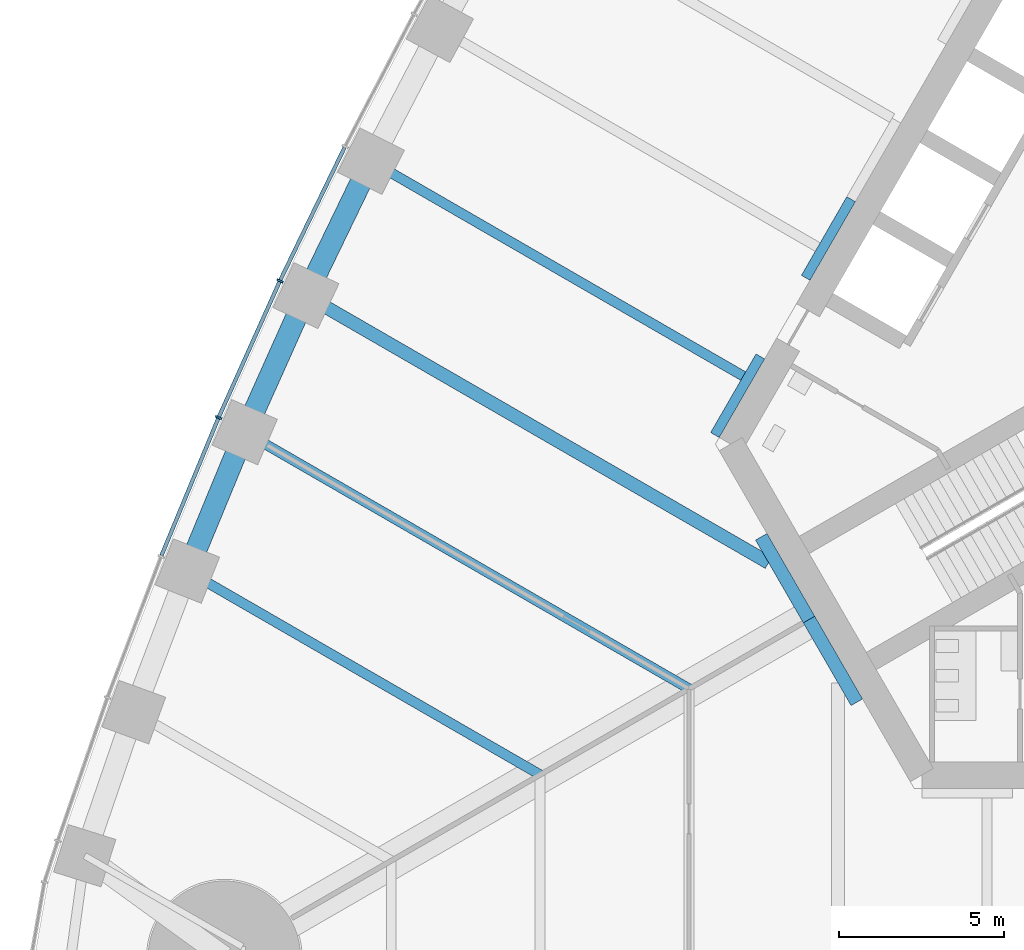
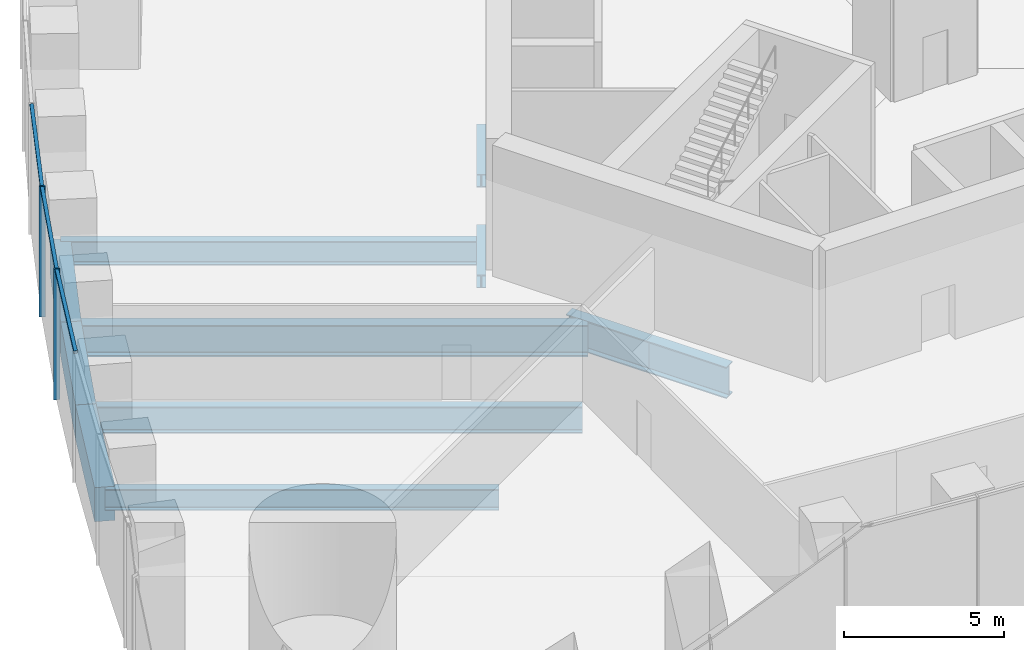
# One storey, part 4 of 21: 11 beams, 5 members, 1 element without a shape of its own.
"""IFC4 building model written with IfcOpenShell, lengths in metres."""

import ifcopenshell
import ifcopenshell.guid

model = None  # the IFC model being written
_history = None  # IfcOwnerHistory: only IFC2X3 demands one
_inside = {}  # id of a spatial element -> (the spatial element, [elements in it])
_under = {}  # id of a project, library or spatial element -> (it, [spatial elements below it])
_declared = {}  # id of a project -> (the project, [libraries it declares])
_typed = {}  # id of a type object -> (the type object, [elements of that type])
_made_of = {}  # id of a material, layer set ... -> (it, [elements and type objects made of it])


def new_model(schema):
    """Start an empty IFC model of exactly this schema.

    Asked for "IFC4X3", IfcOpenShell would pick the latest addendum, in which some entities
    have other attributes; the version numbers below select the first issue.
    IFC2X3 requires an IfcOwnerHistory on every rooted entity: one is made here for all.
    """
    global model, _history
    if schema == "IFC4X3":
        model = ifcopenshell.file(schema_version=(4, 3, 0, 0))
    else:
        model = ifcopenshell.file(schema=schema)
    _inside.clear()
    _under.clear()
    _declared.clear()
    _typed.clear()
    _made_of.clear()
    _history = None
    if model.schema == "IFC2X3":
        org = make("IfcOrganization", Name="unknown")
        user = make(
            "IfcPersonAndOrganization",
            ThePerson=make("IfcPerson", FamilyName="unknown"),
            TheOrganization=org,
        )
        app = make(
            "IfcApplication",
            ApplicationDeveloper=org,
            Version="unknown",
            ApplicationFullName="unknown",
            ApplicationIdentifier="unknown",
        )
        _history = make(
            "IfcOwnerHistory",
            OwningUser=user,
            OwningApplication=app,
            ChangeAction="ADDED",
            CreationDate=0,
        )
    return model


def make(cls, **values):
    """One entity of the class cls with the attributes given. An attribute that is None is left unset."""
    return model.create_entity(
        cls, **{name: value for name, value in values.items() if value is not None}
    )


def rooted(cls, **values):
    """An entity with a GlobalId (a new one), such as an element, a storey or a relation."""
    return make(cls, GlobalId=ifcopenshell.guid.new(), OwnerHistory=_history, **values)


def si_unit(unit_type, name, prefix=None):
    """IfcSIUnit, for example si_unit("LENGTHUNIT", "METRE", prefix="MILLI")."""
    return make("IfcSIUnit", UnitType=unit_type, Prefix=prefix, Name=name)


def assignment(units):
    """IfcUnitAssignment: the units of a project."""
    return None if units is None else make("IfcUnitAssignment", Units=units)


def point(xyz):
    """IfcCartesianPoint."""
    return None if xyz is None else make("IfcCartesianPoint", Coordinates=xyz)


def direction(xyz):
    """IfcDirection."""
    return None if xyz is None else make("IfcDirection", DirectionRatios=xyz)


def frame(location, z_axis=None, x_axis=None):
    """IfcAxis2Placement3D, a coordinate frame: its origin and axes. An axis left out is left unset."""
    return make(
        "IfcAxis2Placement3D",
        Location=point(location),
        Axis=direction(z_axis),
        RefDirection=direction(x_axis),
    )


def frame_2d(location, x_axis=None):
    """IfcAxis2Placement2D, a coordinate frame in the plane: its origin and x axis."""
    return make(
        "IfcAxis2Placement2D", Location=point(location), RefDirection=direction(x_axis)
    )


def origin():
    """The frame at (0, 0, 0) with its axes left unset."""
    return frame((0.0, 0.0, 0.0))


def origin_2d():
    """The frame at (0, 0) in the plane with its x axis left unset."""
    return frame_2d((0.0, 0.0))


def place(relative_to, where):
    """IfcLocalPlacement: puts the frame where relative to a parent placement (None: the world)."""
    return make(
        "IfcLocalPlacement", PlacementRelTo=relative_to, RelativePlacement=where
    )


def context(
    kind, dimensions, precision=None, world=None, true_north=None, identifier=None
):
    """IfcGeometricRepresentationContext, for example the 3D "Model" context."""
    return make(
        "IfcGeometricRepresentationContext",
        ContextIdentifier=identifier,
        ContextType=kind,
        CoordinateSpaceDimension=dimensions,
        Precision=precision,
        WorldCoordinateSystem=world,
        TrueNorth=true_north,
    )


def subcontext(parent, identifier, kind, view, scale=None):
    """IfcGeometricRepresentationSubContext, for example "Body" below "Model"."""
    return make(
        "IfcGeometricRepresentationSubContext",
        ContextIdentifier=identifier,
        ContextType=kind,
        ParentContext=parent,
        TargetScale=scale,
        TargetView=view,
    )


def project(units=None, contexts=None):
    """IfcProject with its units and contexts."""
    return rooted(
        "IfcProject",
        Name="project",
        RepresentationContexts=contexts,
        UnitsInContext=assignment(units),
    )


def spatial(cls, under=None, at=None, **own):
    """A site, building, storey or space (cls), placed at a placement, below another one or the project."""
    s = rooted(cls, ObjectPlacement=at, **own)
    if under is not None:
        _under.setdefault(under.id(), (under, []))[1].append(s)
    return s


def profile(cls, at=None, kind="AREA", **sizes):
    """A parametric profile (cls). Its sizes go by their IFC names, for example OverallWidth=200.0."""
    return make(cls, ProfileType=kind, Position=at, **sizes)


def rectangle(**sizes):
    """IfcRectangleProfileDef."""
    return profile("IfcRectangleProfileDef", **sizes)


def i_section(**sizes):
    """IfcIShapeProfileDef."""
    return profile("IfcIShapeProfileDef", **sizes)


def extrude(swept, where, along, depth):
    """IfcExtrudedAreaSolid: the profile swept, set in the frame where, extruded along a direction by depth."""
    return make(
        "IfcExtrudedAreaSolid",
        SweptArea=swept,
        Position=where,
        ExtrudedDirection=direction(along),
        Depth=depth,
    )


def shape(context_of_items, identifier, shape_type, items):
    """IfcShapeRepresentation: the items that make up one representation, for example the "Body"."""
    return make(
        "IfcShapeRepresentation",
        ContextOfItems=context_of_items,
        RepresentationIdentifier=identifier,
        RepresentationType=shape_type,
        Items=items,
    )


def material(Name=None, Category=None):
    """IfcMaterial."""
    return make("IfcMaterial", Name=Name, Category=Category)


def material_profile(
    of_material, cross_section, Name=None, Category=None, Priority=None
):
    """IfcMaterialProfile: a cross section and its material."""
    return make(
        "IfcMaterialProfile",
        Name=Name,
        Material=of_material,
        Profile=cross_section,
        Priority=Priority,
        Category=Category,
    )


def profile_set(profiles, Name=None, composite=None):
    """IfcMaterialProfileSet."""
    return make(
        "IfcMaterialProfileSet",
        Name=Name,
        MaterialProfiles=profiles,
        CompositeProfile=composite,
    )


def made_of(thing, what):
    """Note that an element or type object is made of a material, layer set ...; save() writes the relation."""
    if what is not None:
        _made_of.setdefault(what.id(), (what, []))[1].append(thing)
    return thing


def type_object(cls, material=None, **own):
    """A type object (cls), such as IfcWallType, which elements share."""
    return made_of(rooted(cls, **own), material)


def element(
    cls,
    number,
    at=None,
    inside=None,
    cuts=None,
    type_object=None,
    material=None,
    context=None,
    identifier="Body",
    shape_type=None,
    held_by="IfcProductDefinitionShape",
    body=None,
    shapes=None,
    **own,
):
    """One element of the class cls, such as IfcWall. Its Tag is "e" and its number.

    at: its placement. inside: the storey or other place that contains it. cuts: it is an
    opening in that element (IfcRelVoidsElement). A single representation is given by context,
    identifier, shape_type and body (its items); several are given by shapes. held_by: the class
    of the entity that holds the representations. save() writes the other relations.
    """
    e = rooted(cls, Tag="e%d" % number, ObjectPlacement=at, **own)
    if body is not None:
        shapes = [shape(context, identifier, shape_type, body)]
    if shapes is not None:
        e.Representation = make(held_by, Representations=shapes)
    if inside is not None:
        _inside.setdefault(inside.id(), (inside, []))[1].append(e)
    if cuts is not None:
        rooted(
            "IfcRelVoidsElement", RelatingBuildingElement=cuts, RelatedOpeningElement=e
        )
    if type_object is not None:
        _typed.setdefault(type_object.id(), (type_object, []))[1].append(e)
    return made_of(e, material)


def aggregate(whole, parts):
    """IfcRelAggregates: a whole, such as a stair, and the parts it consists of."""
    return rooted("IfcRelAggregates", RelatingObject=whole, RelatedObjects=parts)


def save(model, path):
    """Write the relations noted so far, then the file.

    IfcRelAggregates (storeys below a building ...), IfcRelContainedInSpatialStructure (elements
    in a storey), IfcRelDefinesByType, IfcRelAssociatesMaterial and IfcRelDeclares: one each for
    every whole, place, type object, material and project.
    """
    for whole, parts in _under.values():
        aggregate(whole, parts)
    for where, things in _inside.values():
        rooted(
            "IfcRelContainedInSpatialStructure",
            RelatedElements=things,
            RelatingStructure=where,
        )
    for kind, things in _typed.values():
        rooted("IfcRelDefinesByType", RelatedObjects=things, RelatingType=kind)
    for what, things in _made_of.values():
        rooted("IfcRelAssociatesMaterial", RelatedObjects=things, RelatingMaterial=what)
    for by, libraries in _declared.values():
        rooted("IfcRelDeclares", RelatingContext=by, RelatedDefinitions=libraries)
    model.write(path)


model = new_model("IFC4")

# Units and contexts
model_context = context("Model", 3, precision=1e-05, world=origin(), true_north=direction((0.0, 1.0)))
body_context = subcontext(model_context, "Body", "Model", "MODEL_VIEW")
ifc_project = project(units=[si_unit("LENGTHUNIT", "METRE"), si_unit("AREAUNIT", "SQUARE_METRE"), si_unit("VOLUMEUNIT", "CUBIC_METRE"), si_unit("PLANEANGLEUNIT", "RADIAN"), si_unit("MASSUNIT", "GRAM", prefix="KILO")], contexts=[model_context])

# Site, building, storey
site_placement = place(None, origin())
site = spatial("IfcSite", under=ifc_project, at=site_placement, CompositionType="ELEMENT")
building_placement = place(site_placement, origin())
building = spatial("IfcBuilding", under=site, at=building_placement, Name="Trefoil Bronze Tower", CompositionType="ELEMENT")
storey_placement = place(building_placement, frame((0.0, 0.0, 11.5)))
storey = spatial("IfcBuildingStorey", under=building, at=storey_placement, Name="L02", CompositionType="ELEMENT", Elevation=11.5)

# Curtain wall, members
ifc_material_1 = material(Name="Tinted solar-control glass", Category="glass")
curtain_wall_type = type_object("IfcCurtainWallType", Name="Bronze podium storefront curtain wall", PredefinedType="USERDEFINED", material=ifc_material_1)
curtain_wall_placement = place(storey_placement, origin())
curtain_wall = element("IfcCurtainWall", 1, at=curtain_wall_placement, inside=storey, type_object=curtain_wall_type, Name="CW-C L02 F3", ObjectType="CURTAIN WALL", PredefinedType="USERDEFINED")
ifc_material_2 = material(Name="Bronze-finish aluminium", Category="aluminium")
ifc_material_profile_1 = material_profile(ifc_material_2, rectangle(XDim=0.199951171875, YDim=0.06005859375, at=origin_2d()), Name="CW-C mullion")
ifc_profile_set_1 = profile_set([ifc_material_profile_1], Name="Bronze-finish aluminium")
member_type_1 = type_object("IfcMemberType", Name="Bronze podium storefront curtain wall mullion", PredefinedType="MULLION", material=ifc_profile_set_1)
member_1_placement = place(storey_placement, frame((-30.36181640625, 1.930908203125, 0.0), z_axis=(0.0, 0.0, 1.0), x_axis=(0.906269346572, -0.422700687798, 0.0)))
member_1 = element("IfcMember", 2, at=member_1_placement, type_object=member_type_1, Name="CW-C L02 F3 mullion 12", PredefinedType="MULLION", context=body_context, shape_type="SweptSolid", body=[
    extrude(rectangle(XDim=0.199951171875, YDim=0.06005859375, at=origin_2d()), origin(), (0.0, 0.0, 1.0), 4.97998046875),
])
member_2_placement = place(storey_placement, frame((-32.21533203125, -2.198486328125, 0.0), z_axis=(0.0, 0.0, 1.0), x_axis=(0.918213748442, -0.396085233469, 0.0)))
member_2 = element("IfcMember", 3, at=member_2_placement, type_object=member_type_1, Name="CW-C L02 F3 mullion 13", PredefinedType="MULLION", context=body_context, shape_type="SweptSolid", body=[
    extrude(rectangle(XDim=0.199951171875, YDim=0.06005859375, at=origin_2d()), origin(), (0.0, 0.0, 1.0), 4.97998046875),
])
ifc_material_3 = material(Name="Bronze-finish aluminium", Category="aluminium")
ifc_material_profile_2 = material_profile(ifc_material_3, rectangle(XDim=0.1201171875, YDim=0.10009765625, at=origin_2d()), Name="CW-C transom")
ifc_profile_set_2 = profile_set([ifc_material_profile_2], Name="Bronze-finish aluminium")
member_type_2 = type_object("IfcMemberType", Name="Bronze podium storefront curtain wall transom", PredefinedType="USERDEFINED", material=ifc_profile_set_2)
member_3_placement = place(storey_placement, frame((-28.40771484375, 5.966064453125, 4.929931640625), z_axis=(-0.435859049912, -0.900014937992, 0.0), x_axis=(0.900014937992, -0.435859049912, 0.0)))
member_3 = element("IfcMember", 4, at=member_3_placement, type_object=member_type_2, Name="CW-C L02 F3 transom 11", ObjectType="TRANSOM", PredefinedType="USERDEFINED", context=body_context, shape_type="SweptSolid", body=[
    extrude(rectangle(XDim=0.1201171875, YDim=0.10009765625, at=origin_2d()), origin(), (0.0, 0.0, 1.0), 4.451904296875),
])
member_4_placement = place(storey_placement, frame((-30.374755859375, 1.90234375, 4.929931640625), z_axis=(-0.409454767225, -0.91233041909, 0.0), x_axis=(0.91233041909, -0.409454767225, 0.0)))
member_4 = element("IfcMember", 5, at=member_4_placement, type_object=member_type_2, Name="CW-C L02 F3 transom 12", ObjectType="TRANSOM", PredefinedType="USERDEFINED", context=body_context, shape_type="SweptSolid", body=[
    extrude(rectangle(XDim=0.1201171875, YDim=0.10009765625, at=origin_2d()), origin(), (0.0, 0.0, 1.0), 4.463623046875),
])
member_5_placement = place(storey_placement, frame((-32.227294921875, -2.2275390625, 4.929931640625), z_axis=(-0.382594106546, -0.923916527418, 0.0), x_axis=(0.923916527418, -0.382594106546, 0.0)))
member_5 = element("IfcMember", 6, at=member_5_placement, type_object=member_type_2, Name="CW-C L02 F3 transom 13", ObjectType="TRANSOM", PredefinedType="USERDEFINED", context=body_context, shape_type="SweptSolid", body=[
    extrude(rectangle(XDim=0.1201171875, YDim=0.10009765625, at=origin_2d()), origin(), (0.0, 0.0, 1.0), 4.47900390625),
])
aggregate(curtain_wall, [member_1, member_2, member_3, member_4, member_5])

# Beams
ifc_material_4 = material(Name="Steel C355", Category="steel")
ifc_material_profile_3 = material_profile(ifc_material_4, i_section(OverallWidth=0.300048828125, OverallDepth=0.5, WebThickness=0.014404296875, FlangeThickness=0.028076171875, FilletRadius=0.027099609375, at=origin_2d()), Name="HEB 500")
ifc_profile_set_3 = profile_set([ifc_material_profile_3], Name="Steel C355")
beam_type_1 = type_object("IfcBeamType", Name="Core seat beam HEB 500", PredefinedType="BEAM", material=ifc_profile_set_3)
for number, where, z_axis, x_axis, name in (
    (7, (-13.10595703125, 4.39990234375, -0.449951171875), (-0.499969057507, -0.866043267704, 0.0), (0.866043267704, -0.499969057507, 0.0), "Core seat beam F3/+1 L02"),
    (8, (-15.84814453125, -0.35009765625, -0.449951171875), (-0.500035825175, -0.866004719122, 0.0), (0.866004719122, -0.500035825175, 0.0), "Core seat beam F3/+2 L02"),
):
    element("IfcBeam", number, at=place(storey_placement, frame(where, z_axis=z_axis, x_axis=x_axis)), inside=storey, type_object=beam_type_1, Name=name, PredefinedType="BEAM", context=body_context, shape_type="SweptSolid", body=[
        extrude(i_section(OverallWidth=0.300048828125, OverallDepth=0.5, WebThickness=0.014404296875, FlangeThickness=0.028076171875, FilletRadius=0.027099609375, at=origin_2d()), origin(), (0.0, 0.0, 1.0), 2.742431640625),
    ])
ifc_material_5 = material(Name="Steel C355", Category="steel")
ifc_material_profile_4 = material_profile(ifc_material_5, i_section(OverallWidth=0.39990234375, OverallDepth=1.199951171875, WebThickness=0.02001953125, FlangeThickness=0.0400390625, FilletRadius=0.010009765625, at=origin_2d()), Name="WPG 1200")
ifc_profile_set_4 = profile_set([ifc_material_profile_4], Name="Steel C355")
beam_type_2 = type_object("IfcBeamType", Name="Core seat beam WPG 1200", PredefinedType="BEAM", material=ifc_profile_set_4)
for number, where, z_axis, x_axis, name in (
    (9, (-14.3759765625, -8.300048828125, -0.800048828125), (0.499995765644, -0.866027848477, 0.0), (0.866027848477, 0.499995765644, 0.0), "Core seat beam F1/-3 L02"),
    (10, (-15.8193359375, -5.800048828125, -0.800048828125), (0.499995765644, -0.866027848477, 0.0), (0.866027848477, 0.499995765644, 0.0), "Core seat beam F3/+3 L02"),
):
    element("IfcBeam", number, at=place(storey_placement, frame(where, z_axis=z_axis, x_axis=x_axis)), inside=storey, type_object=beam_type_2, Name=name, PredefinedType="BEAM", context=body_context, shape_type="SweptSolid", body=[
        extrude(i_section(OverallWidth=0.39990234375, OverallDepth=1.199951171875, WebThickness=0.02001953125, FlangeThickness=0.0400390625, FilletRadius=0.010009765625, at=origin_2d()), origin(), (0.0, 0.0, 1.0), 2.88671875),
    ])
ifc_material_6 = material(Name="Steel C355", Category="steel")
ifc_material_profile_5 = material_profile(ifc_material_6, i_section(OverallWidth=0.300048828125, OverallDepth=0.800048828125, WebThickness=0.017578125, FlangeThickness=0.032958984375, FilletRadius=0.030029296875, at=origin_2d()), Name="HEB 800")
ifc_profile_set_5 = profile_set([ifc_material_profile_5], Name="Steel C355")
beam_type_3 = type_object("IfcBeamType", Name="Floor beam HEB 800", PredefinedType="BEAM", material=ifc_profile_set_5)
beam_1_placement = place(storey_placement, frame((-33.159912109375, -6.8359375, -0.60009765625), z_axis=(0.866024070878, -0.500002308654, 0.0), x_axis=(0.500002308654, 0.866024070878, 0.0)))
element("IfcBeam", 11, at=beam_1_placement, inside=storey, type_object=beam_type_3, Name="Floor beam F3/+5 L02", PredefinedType="BEAM", context=body_context, shape_type="SweptSolid", body=[
    extrude(i_section(OverallWidth=0.300048828125, OverallDepth=0.800048828125, WebThickness=0.017578125, FlangeThickness=0.032958984375, FilletRadius=0.030029296875, at=origin_2d()), origin(), (0.0, 0.0, 1.0), 12.30908203125),
])
ifc_material_7 = material(Name="Steel C355", Category="steel")
ifc_material_profile_6 = material_profile(ifc_material_7, i_section(OverallWidth=0.300048828125, OverallDepth=0.89990234375, WebThickness=0.0185546875, FlangeThickness=0.034912109375, FilletRadius=0.030029296875, at=origin_2d()), Name="HEB 900")
ifc_profile_set_6 = profile_set([ifc_material_profile_6], Name="Steel C355")
beam_type_4 = type_object("IfcBeamType", Name="Floor beam HEB 900", PredefinedType="BEAM", material=ifc_profile_set_6)
beam_2_placement = place(storey_placement, frame((-27.61083984375, 5.548828125, -0.64990234375), z_axis=(0.866022474361, -0.500005073876, 0.0), x_axis=(0.500005073876, 0.866022474361, 0.0)))
element("IfcBeam", 12, at=beam_2_placement, inside=storey, type_object=beam_type_4, Name="Floor beam F3/+2 L02", PredefinedType="BEAM", context=body_context, shape_type="SweptSolid", body=[
    extrude(i_section(OverallWidth=0.300048828125, OverallDepth=0.89990234375, WebThickness=0.0185546875, FlangeThickness=0.034912109375, FilletRadius=0.030029296875, at=origin_2d()), origin(), (0.0, 0.0, 1.0), 12.986083984375),
])
ifc_material_8 = material(Name="Steel C355", Category="steel")
ifc_material_profile_7 = material_profile(ifc_material_8, i_section(OverallWidth=0.302001953125, OverallDepth=1.008056640625, WebThickness=0.02099609375, FlangeThickness=0.0400390625, FilletRadius=0.030029296875, at=origin_2d()), Name="HEM 1000")
ifc_profile_set_7 = profile_set([ifc_material_profile_7], Name="Steel C355")
beam_type_5 = type_object("IfcBeamType", Name="Floor beam HEM 1000", PredefinedType="BEAM", material=ifc_profile_set_7)
beam_3_placement = place(storey_placement, frame((-31.42578125, -2.640869140625, -0.7041015625), z_axis=(0.866022989816, -0.500004181093, 0.0), x_axis=(0.500004181093, 0.866022989816, 0.0)))
element("IfcBeam", 13, at=beam_3_placement, inside=storey, type_object=beam_type_5, Name="Floor beam F3/+4 L02", PredefinedType="BEAM", context=body_context, shape_type="SweptSolid", body=[
    extrude(i_section(OverallWidth=0.302001953125, OverallDepth=1.008056640625, WebThickness=0.02099609375, FlangeThickness=0.0400390625, FilletRadius=0.030029296875, at=origin_2d()), origin(), (0.0, 0.0, 1.0), 15.502685546875),
])
ifc_material_9 = material(Name="Steel C355", Category="steel")
ifc_material_profile_8 = material_profile(ifc_material_9, i_section(OverallWidth=0.39990234375, OverallDepth=1.199951171875, WebThickness=0.02001953125, FlangeThickness=0.0400390625, FilletRadius=0.010009765625, at=origin_2d()), Name="WPG 1200")
ifc_profile_set_8 = profile_set([ifc_material_profile_8], Name="Steel C355")
beam_type_6 = type_object("IfcBeamType", Name="Floor beam WPG 1200", PredefinedType="BEAM", material=ifc_profile_set_8)
beam_4_placement = place(storey_placement, frame((-29.575927734375, 1.487060546875, -0.800048828125), z_axis=(0.866028401131, -0.499994808408, 0.0), x_axis=(0.499994808408, 0.866028401131, 0.0)))
element("IfcBeam", 14, at=beam_4_placement, inside=storey, type_object=beam_type_6, Name="Floor beam F3/+3 L02", PredefinedType="BEAM", context=body_context, shape_type="SweptSolid", body=[
    extrude(i_section(OverallWidth=0.39990234375, OverallDepth=1.199951171875, WebThickness=0.02001953125, FlangeThickness=0.0400390625, FilletRadius=0.010009765625, at=origin_2d()), origin(), (0.0, 0.0, 1.0), 16.139892578125),
])
ifc_material_10 = material(Name="Concrete B80", Category="concrete")
ifc_material_profile_9 = material_profile(ifc_material_10, rectangle(XDim=0.64990234375, YDim=1.300048828125, at=origin_2d()), Name="RC 650x1300")
ifc_profile_set_9 = profile_set([ifc_material_profile_9], Name="Concrete B80")
beam_type_7 = type_object("IfcBeamType", Name="Spandrel beam RC 650x1300", PredefinedType="SPANDREL", material=ifc_profile_set_9)
beam_5_placement = place(storey_placement, frame((-27.61083984375, 5.548828125, -0.85009765625), z_axis=(-0.435510013583, -0.900183885697, 0.0), x_axis=(0.900183885697, -0.435510013583, 0.0)))
element("IfcBeam", 15, at=beam_5_placement, inside=storey, type_object=beam_type_7, Name="Spandrel F3.11 L02", PredefinedType="SPANDREL", context=body_context, shape_type="SweptSolid", body=[
    extrude(rectangle(XDim=0.64990234375, YDim=1.300048828125, at=origin_2d()), origin(), (0.0, 0.0, 1.0), 4.51220703125),
])
beam_6_placement = place(storey_placement, frame((-29.575927734375, 1.487060546875, -0.85009765625), z_axis=(-0.408945873044, -0.912558640812, 0.0), x_axis=(0.912558640812, -0.408945873044, 0.0)))
element("IfcBeam", 16, at=beam_6_placement, inside=storey, type_object=beam_type_7, Name="Spandrel F3.12 L02", PredefinedType="SPANDREL", context=body_context, shape_type="SweptSolid", body=[
    extrude(rectangle(XDim=0.64990234375, YDim=1.300048828125, at=origin_2d()), origin(), (0.0, 0.0, 1.0), 4.5234375),
])
beam_7_placement = place(storey_placement, frame((-31.42578125, -2.640869140625, -0.85009765625), z_axis=(-0.382020825144, -0.924153715113, 0.0), x_axis=(0.924153715113, -0.382020825144, 0.0)))
element("IfcBeam", 17, at=beam_7_placement, inside=storey, type_object=beam_type_7, Name="Spandrel F3.13 L02", PredefinedType="SPANDREL", context=body_context, shape_type="SweptSolid", body=[
    extrude(rectangle(XDim=0.64990234375, YDim=1.300048828125, at=origin_2d()), origin(), (0.0, 0.0, 1.0), 4.539306640625),
])

save(model, "model.ifc")
